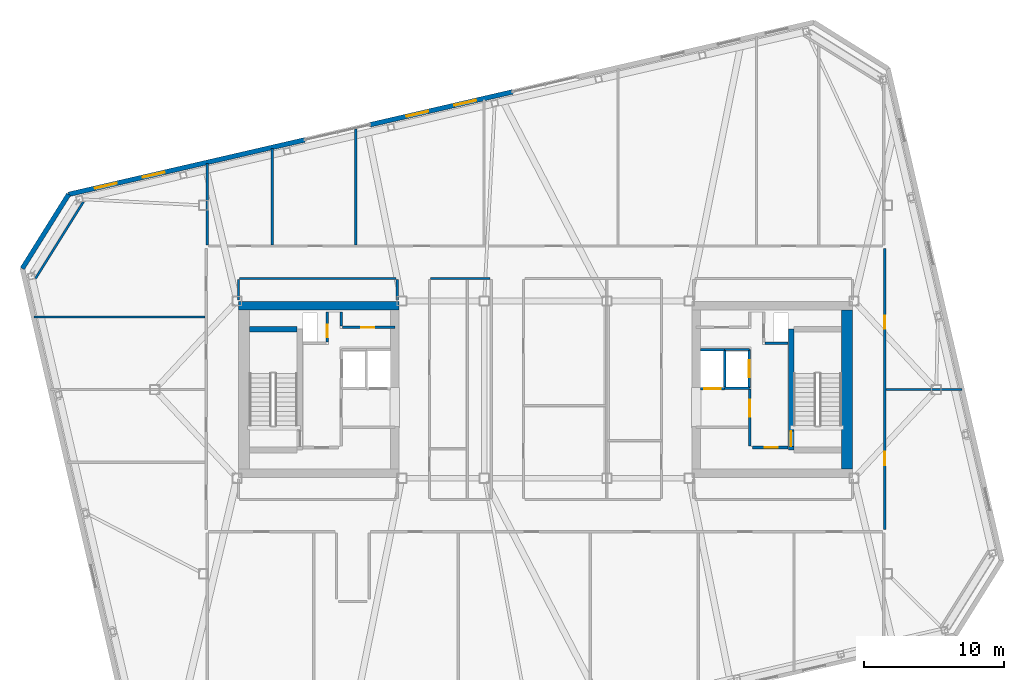
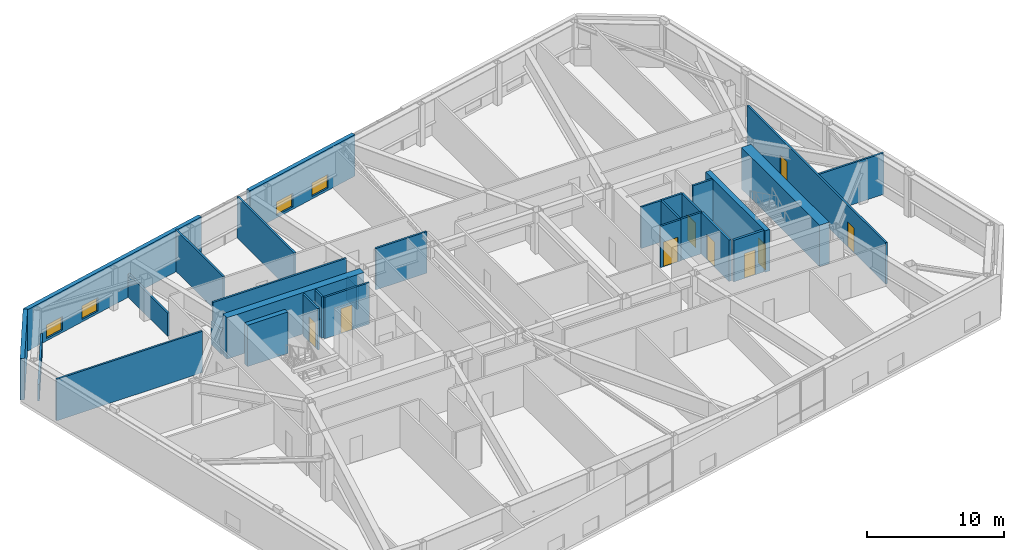
# One storey, part 18 of 23: 30 walls, 9 doors, 4 windows, 13 openings.
"""IFC4 building model written with IfcOpenShell, lengths in metres."""

from ifc_helpers import new_model, si_unit, direction, frame, frame_2d, origin, place, context, subcontext, project, spatial, rectangle, extrude, material, layer, layer_set, type_object, element, fill, save


model = new_model("IFC4")

# Units and contexts
model_context = context("Model", 3, precision=1e-05, world=origin(), true_north=direction((0.0, 1.0)))
body_context = subcontext(model_context, "Body", "Model", "MODEL_VIEW")
ifc_project = project(units=[si_unit("LENGTHUNIT", "METRE"), si_unit("AREAUNIT", "SQUARE_METRE"), si_unit("VOLUMEUNIT", "CUBIC_METRE"), si_unit("PLANEANGLEUNIT", "RADIAN"), si_unit("MASSUNIT", "GRAM", prefix="KILO")], contexts=[model_context])

# Site, building, storey
site_placement = place(None, origin())
site = spatial("IfcSite", under=ifc_project, at=site_placement, CompositionType="ELEMENT")
building_placement = place(site_placement, origin())
building = spatial("IfcBuilding", under=site, at=building_placement, Name="Tavrogorsk Clinical Tower", CompositionType="ELEMENT")
storey_placement = place(building_placement, frame((0.0, 0.0, 329.0)))
storey = spatial("IfcBuildingStorey", under=building, at=storey_placement, Name="L77", CompositionType="ELEMENT", Elevation=329.0)

# Wall, opening, door
ifc_material_1 = material(Name="Concrete B60", Category="concrete")
ifc_layer_1 = layer(ifc_material_1, 0.199951171875)
ifc_layer_set_1 = layer_set([ifc_layer_1], Name="Concrete B60")
wall_type_1 = type_object("IfcWallType", Name="CoreFireWall_200", PredefinedType="SOLIDWALL", material=ifc_layer_set_1)
wall_1_placement = place(storey_placement, frame((14.824951171875, -4.139892578125, 0.0), z_axis=(0.0, 0.0, 1.0), x_axis=(1.0, 0.0, 0.0)))
wall_1 = element("IfcWall", 1, at=wall_1_placement, inside=storey, type_object=wall_type_1, Name="L77 Core East South Core Room Fire Wall", PredefinedType="SOLIDWALL", context=body_context, shape_type="SweptSolid", body=[
    extrude(rectangle(XDim=2.554931640625, YDim=0.199951171875, at=frame_2d((1.27734375, 0.0))), origin(), (0.0, 0.0, 1.0), 3.679931640625),
])
opening_1_placement = place(wall_1_placement, frame((0.8798828125, 0.0, 0.0)))
opening_1 = element("IfcOpeningElement", 2, at=opening_1_placement, cuts=wall_1, Name="Opening ID-02", PredefinedType="OPENING", context=body_context, shape_type="SweptSolid", body=[
    extrude(rectangle(XDim=0.949951171875, YDim=2.199951171875, at=frame_2d((0.47509765625, 1.10009765625))), frame((0.0, 0.10986328125, 0.0), z_axis=(0.0, -1.0, 0.0), x_axis=(1.0, 0.0, 0.0)), (0.0, 0.0, 1.0), 0.219970703125),
])
ifc_material_2 = material(Name="Laminated timber leaf on aluminium frame", Category="wood")
door_type_1 = type_object("IfcDoorType", Name="InteriorDoor_ID02_950", OperationType="NOTDEFINED", PredefinedType="DOOR", material=ifc_material_2)
door_1_placement = place(opening_1_placement, origin())
door_1 = element("IfcDoor", 3, at=door_1_placement, inside=storey, type_object=door_type_1, Name="L77 Core East South Core Room Door", OperationType="SINGLE_SWING_RIGHT", OverallHeight=2.199951171875, OverallWidth=0.949951171875, PredefinedType="DOOR", context=body_context, shape_type="SweptSolid", body=[
    extrude(rectangle(XDim=0.949951171875, YDim=2.199951171875, at=frame_2d((0.47509765625, 1.10009765625))), frame((0.0, 0.02490234375, 0.0), z_axis=(0.0, -1.0, 0.0), x_axis=(1.0, 0.0, 0.0)), (0.0, 0.0, 1.0), 0.050048828125),
])
fill(opening_1, door_1)

wall_2_placement = place(storey_placement, frame((14.639892578125, -4.034912109375, 0.0), z_axis=(0.0, 0.0, 1.0), x_axis=(0.0, 1.0, 0.0)))
wall_2 = element("IfcWall", 4, at=wall_2_placement, inside=storey, type_object=wall_type_1, Name="L77 Core East Firefighting Lobby Fire Wall", PredefinedType="SOLIDWALL", context=body_context, shape_type="SweptSolid", body=[
    extrude(rectangle(XDim=4.074951171875, YDim=0.199951171875, at=frame_2d((2.03759765625, 0.0))), origin(), (0.0, 0.0, 1.0), 3.679931640625),
])
opening_2_placement = place(wall_2_placement, frame((2.090087890625, 0.0, 0.0)))
opening_2 = element("IfcOpeningElement", 5, at=opening_2_placement, cuts=wall_2, Name="Opening FD-01", PredefinedType="OPENING", context=body_context, shape_type="SweptSolid", body=[
    extrude(rectangle(XDim=1.199951171875, YDim=2.199951171875, at=frame_2d((0.60009765625, 1.10009765625))), frame((0.0, 0.10986328125, 0.0), z_axis=(0.0, -1.0, 0.0), x_axis=(1.0, 0.0, 0.0)), (0.0, 0.0, 1.0), 0.219970703125),
])
ifc_material_3 = material(Name="Galvanised steel fire-rated door assembly", Category="steel")
door_type_2 = type_object("IfcDoorType", Name="FireDoor_FD01_1200", OperationType="NOTDEFINED", PredefinedType="DOOR", material=ifc_material_3)
door_2_placement = place(opening_2_placement, origin())
door_2 = element("IfcDoor", 6, at=door_2_placement, inside=storey, type_object=door_type_2, Name="L77 Core East Firefighting Lobby Entry Door", OperationType="SINGLE_SWING_RIGHT", OverallHeight=2.199951171875, OverallWidth=1.199951171875, PredefinedType="DOOR", context=body_context, shape_type="SweptSolid", body=[
    extrude(rectangle(XDim=1.199951171875, YDim=2.199951171875, at=frame_2d((0.60009765625, 1.10009765625))), frame((0.0, 0.02490234375, 0.0), z_axis=(0.0, -1.0, 0.0), x_axis=(1.0, 0.0, 0.0)), (0.0, 0.0, 1.0), 0.050048828125),
])
fill(opening_2, door_2)

ifc_material_4 = material(Name="Lightweight concrete blockwork B15", Category="masonry")
ifc_layer_2 = layer(ifc_material_4, 0.159912109375)
ifc_layer_set_2 = layer_set([ifc_layer_2], Name="Lightweight concrete blockwork B15")
wall_type_2 = type_object("IfcWallType", Name="PartitionWall_160", PredefinedType="PARTITIONING", material=ifc_layer_set_2)
wall_3_placement = place(storey_placement, frame((-14.554931640625, 4.4599609375, 0.0), z_axis=(0.0, 0.0, 1.0), x_axis=(1.0, 0.0, 0.0)))
wall_3 = element("IfcWall", 7, at=wall_3_placement, inside=storey, type_object=wall_type_2, Name="L77 Core West Pneumatic Dispatch South Wall", PredefinedType="PARTITIONING", context=body_context, shape_type="SweptSolid", body=[
    extrude(rectangle(XDim=3.7548828125, YDim=0.159912109375, at=frame_2d((1.87744140625, 0.0))), origin(), (0.0, 0.0, 1.0), 3.679931640625),
])
opening_3_placement = place(wall_3_placement, frame((1.35009765625, 0.0, 0.0)))
opening_3 = element("IfcOpeningElement", 8, at=opening_3_placement, cuts=wall_3, Name="Opening ID-02", PredefinedType="OPENING", context=body_context, shape_type="SweptSolid", body=[
    extrude(rectangle(XDim=0.949951171875, YDim=2.199951171875, at=frame_2d((0.47509765625, 1.10009765625))), frame((0.0, 0.08984375, 0.0), z_axis=(0.0, -1.0, 0.0), x_axis=(1.0, 0.0, 0.0)), (0.0, 0.0, 1.0), 0.179931640625),
])
door_3_placement = place(opening_3_placement, origin())
door_3 = element("IfcDoor", 9, at=door_3_placement, inside=storey, type_object=door_type_1, Name="L77 Core West Pneumatic Dispatch Door", OperationType="SINGLE_SWING_LEFT", OverallHeight=2.199951171875, OverallWidth=0.949951171875, PredefinedType="DOOR", context=body_context, shape_type="SweptSolid", body=[
    extrude(rectangle(XDim=0.949951171875, YDim=2.199951171875, at=frame_2d((0.47509765625, 1.10009765625))), frame((0.0, 0.02490234375, 0.0), z_axis=(0.0, -1.0, 0.0), x_axis=(1.0, 0.0, 0.0)), (0.0, 0.0, 1.0), 0.050048828125),
])
fill(opening_3, door_3)

# Walls
wall_4_placement = place(storey_placement, frame((-14.639892578125, 4.544921875, 0.0), z_axis=(0.0, 0.0, 1.0), x_axis=(0.0, 1.0, 0.0)))
element("IfcWall", 10, at=wall_4_placement, inside=storey, type_object=wall_type_2, Name="L77 Core West Pneumatic Dispatch East Wall", PredefinedType="PARTITIONING", context=body_context, shape_type="SweptSolid", body=[
    extrude(rectangle(XDim=1.01513671875, YDim=0.159912109375, at=frame_2d((0.507568359375, 0.0))), origin(), (0.0, 0.0, 1.0), 3.679931640625),
])
wall_5_placement = place(storey_placement, frame((-33.10009765625, 13.464599609375, 0.0), z_axis=(0.0, 0.0, 1.0), x_axis=(-0.529958457806, -0.848023604035, 0.0)))
element("IfcWall", 11, at=wall_5_placement, inside=storey, type_object=wall_type_2, Name="L77 Corner Exoskeleton Brace Furring Wall 3", PredefinedType="PARTITIONING", context=body_context, shape_type="SweptSolid", body=[
    extrude(rectangle(XDim=6.505126953125, YDim=0.159912109375, at=frame_2d((3.25244140625, 0.0))), origin(), (0.0, 0.0, 1.0), 1.47509765625),
])

# Wall, openings, doors
wall_6_placement = place(storey_placement, frame((24.31005859375, 10.114990234375, 0.0), z_axis=(0.0, 0.0, 1.0), x_axis=(0.0, -1.0, 0.0)))
wall_6 = element("IfcWall", 12, at=wall_6_placement, inside=storey, type_object=wall_type_2, Name="L77 Corridor Partition 03", PredefinedType="PARTITIONING", context=body_context, shape_type="SweptSolid", body=[
    extrude(rectangle(XDim=20.1298828125, YDim=0.159912109375, at=frame_2d((10.06494140625, 0.0))), origin(), (0.0, 0.0, 1.0), 3.679931640625),
])
opening_4_placement = place(wall_6_placement, frame((14.580810546875, 0.0, 0.0)))
opening_4 = element("IfcOpeningElement", 13, at=opening_4_placement, cuts=wall_6, Name="Opening ID-02", PredefinedType="OPENING", context=body_context, shape_type="SweptSolid", body=[
    extrude(rectangle(XDim=0.949951171875, YDim=2.199951171875, at=frame_2d((0.47509765625, 1.10009765625))), frame((0.0, 0.08984375, 0.0), z_axis=(0.0, -1.0, 0.0), x_axis=(1.0, 0.0, 0.0)), (0.0, 0.0, 1.0), 0.179931640625),
])
opening_5_placement = place(wall_6_placement, frame((4.819091796875, 0.0, 0.0)))
opening_5 = element("IfcOpeningElement", 14, at=opening_5_placement, cuts=wall_6, Name="Opening ID-02", PredefinedType="OPENING", context=body_context, shape_type="SweptSolid", body=[
    extrude(rectangle(XDim=0.949951171875, YDim=2.199951171875, at=frame_2d((0.47509765625, 1.10009765625))), frame((0.0, 0.08984375, 0.0), z_axis=(0.0, -1.0, 0.0), x_axis=(1.0, 0.0, 0.0)), (0.0, 0.0, 1.0), 0.179931640625),
])
door_4_placement = place(opening_4_placement, origin())
door_4 = element("IfcDoor", 15, at=door_4_placement, inside=storey, type_object=door_type_1, Name="L77 E Senior Clinician Suite 1 Door", OperationType="SINGLE_SWING_RIGHT", OverallHeight=2.199951171875, OverallWidth=0.949951171875, PredefinedType="DOOR", context=body_context, shape_type="SweptSolid", body=[
    extrude(rectangle(XDim=0.949951171875, YDim=2.199951171875, at=frame_2d((0.47509765625, 1.10009765625))), frame((0.0, 0.02490234375, 0.0), z_axis=(0.0, -1.0, 0.0), x_axis=(1.0, 0.0, 0.0)), (0.0, 0.0, 1.0), 0.050048828125),
])
fill(opening_4, door_4)
door_5_placement = place(opening_5_placement, origin())
door_5 = element("IfcDoor", 16, at=door_5_placement, inside=storey, type_object=door_type_1, Name="L77 E Multidisciplinary Seminar Suite 2 Door", OperationType="SINGLE_SWING_LEFT", OverallHeight=2.199951171875, OverallWidth=0.949951171875, PredefinedType="DOOR", context=body_context, shape_type="SweptSolid", body=[
    extrude(rectangle(XDim=0.949951171875, YDim=2.199951171875, at=frame_2d((0.47509765625, 1.10009765625))), frame((0.0, 0.02490234375, 0.0), z_axis=(0.0, -1.0, 0.0), x_axis=(1.0, 0.0, 0.0)), (0.0, 0.0, 1.0), 0.050048828125),
])
fill(opening_5, door_5)

# Walls
wall_7_placement = place(storey_placement, frame((-3.965087890625, 7.969970703125, 0.0), z_axis=(0.0, 0.0, 1.0), x_axis=(-1.0, 0.0, 0.0)))
element("IfcWall", 17, at=wall_7_placement, inside=storey, type_object=wall_type_2, Name="L77 Corridor Partition 20", PredefinedType="PARTITIONING", context=body_context, shape_type="SweptSolid", body=[
    extrude(rectangle(XDim=4.27001953125, YDim=0.159912109375, at=frame_2d((2.135009765625, 0.0))), origin(), (0.0, 0.0, 1.0), 3.679931640625),
])
wall_8_placement = place(storey_placement, frame((-10.6298828125, 6.419921875, 0.0), z_axis=(0.0, 0.0, 1.0), x_axis=(0.0, 1.0, 0.0)))
element("IfcWall", 18, at=wall_8_placement, inside=storey, type_object=wall_type_2, Name="L77 Corridor Partition 24", PredefinedType="PARTITIONING", context=body_context, shape_type="SweptSolid", body=[
    extrude(rectangle(XDim=1.465087890625, YDim=0.159912109375, at=frame_2d((0.732421875, 0.0))), origin(), (0.0, 0.0, 1.0), 2.074951171875),
])
wall_9_placement = place(storey_placement, frame((-10.715087890625, 7.969970703125, 0.0), z_axis=(0.0, 0.0, 1.0), x_axis=(-1.0, 0.0, 0.0)))
element("IfcWall", 19, at=wall_9_placement, inside=storey, type_object=wall_type_2, Name="L77 Corridor Partition 25", PredefinedType="PARTITIONING", context=body_context, shape_type="SweptSolid", body=[
    extrude(rectangle(XDim=11.199951171875, YDim=0.159912109375, at=frame_2d((5.60009765625, 0.0))), origin(), (0.0, 0.0, 1.0), 3.679931640625),
])
wall_10_placement = place(storey_placement, frame((-22.0, 7.885009765625, 0.0), z_axis=(0.0, 0.0, 1.0), x_axis=(0.0, -1.0, 0.0)))
element("IfcWall", 20, at=wall_10_placement, inside=storey, type_object=wall_type_2, Name="L77 Corridor Partition 26", PredefinedType="PARTITIONING", context=body_context, shape_type="SweptSolid", body=[
    extrude(rectangle(XDim=1.465087890625, YDim=0.159912109375, at=frame_2d((0.732421875, 0.0))), origin(), (0.0, 0.0, 1.0), 2.074951171875),
])
wall_11_placement = place(storey_placement, frame((-24.22998046875, 10.364990234375, 0.0), z_axis=(0.0, 0.0, 1.0), x_axis=(0.0, 1.0, 0.0)))
element("IfcWall", 21, at=wall_11_placement, inside=storey, type_object=wall_type_2, Name="L77 NW Wing Closure Partition", PredefinedType="PARTITIONING", context=body_context, shape_type="SweptSolid", body=[
    extrude(rectangle(XDim=5.845947265625, YDim=0.159912109375, at=frame_2d((2.9228515625, 0.0))), origin(), (0.0, 0.0, 1.0), 2.074951171875),
])
wall_12_placement = place(storey_placement, frame((-19.580078125, 10.364990234375, 0.0), z_axis=(0.0, 0.0, 1.0), x_axis=(0.0, 1.0, 0.0)))
element("IfcWall", 22, at=wall_12_placement, inside=storey, type_object=wall_type_2, Name="L77 North Room Partition 1", PredefinedType="PARTITIONING", context=body_context, shape_type="SweptSolid", body=[
    extrude(rectangle(XDim=6.91943359375, YDim=0.159912109375, at=frame_2d((3.459716796875, 0.0))), origin(), (0.0, 0.0, 1.0), 3.679931640625),
])
wall_13_placement = place(storey_placement, frame((-13.60009765625, 10.364990234375, 0.0), z_axis=(0.0, 0.0, 1.0), x_axis=(0.0, 1.0, 0.0)))
element("IfcWall", 23, at=wall_13_placement, inside=storey, type_object=wall_type_2, Name="L77 North Room Partition 2", PredefinedType="PARTITIONING", context=body_context, shape_type="SweptSolid", body=[
    extrude(rectangle(XDim=8.300048828125, YDim=0.159912109375, at=frame_2d((4.14990234375, 0.0))), origin(), (0.0, 0.0, 1.0), 3.679931640625),
])
wall_14_placement = place(storey_placement, frame((-36.662841796875, 5.199951171875, 0.0), z_axis=(0.0, 0.0, 1.0), x_axis=(1.0, 0.0, 0.0)))
element("IfcWall", 24, at=wall_14_placement, inside=storey, type_object=wall_type_2, Name="L77 W Wing Divider 3", PredefinedType="PARTITIONING", context=body_context, shape_type="SweptSolid", body=[
    extrude(rectangle(XDim=12.267822265625, YDim=0.159912109375, at=frame_2d((6.1337890625, 0.0))), origin(), (0.0, 0.0, 1.0), 3.679931640625),
])
wall_15_placement = place(storey_placement, frame((24.39501953125, 0.0, 0.0), z_axis=(0.0, 0.0, 1.0), x_axis=(1.0, 0.0, 0.0)))
element("IfcWall", 25, at=wall_15_placement, inside=storey, type_object=wall_type_2, Name="L77 E Wing Divider 1", PredefinedType="PARTITIONING", context=body_context, shape_type="SweptSolid", body=[
    extrude(rectangle(XDim=5.436279296875, YDim=0.159912109375, at=frame_2d((2.71826171875, 0.0))), origin(), (0.0, 0.0, 1.0), 3.679931640625),
])

# Wall, openings, windows
ifc_material_5 = material(Name="Precast concrete B45 with limestone cladding", Category="masonry")
ifc_layer_3 = layer(ifc_material_5, 0.340087890625)
ifc_layer_set_3 = layer_set([ifc_layer_3], Name="Precast concrete B45 with limestone cladding")
wall_type_3 = type_object("IfcWallType", Name="PrecastLimestoneWall_340", PredefinedType="STANDARD", material=ifc_layer_set_3)
wall_16_placement = place(storey_placement, frame((-2.3681640625, 21.330078125, 0.0), z_axis=(0.0, 0.0, 1.0), x_axis=(-0.974367213107, -0.224963405961, 0.0)))
wall_16 = element("IfcWall", 26, at=wall_16_placement, inside=storey, type_object=wall_type_3, Name="L77 N Limestone Facade Wall 2", PredefinedType="STANDARD", context=body_context, shape_type="SweptSolid", body=[
    extrude(rectangle(XDim=10.46826171875, YDim=0.340087890625, at=frame_2d((5.234130859375, 0.0))), origin(), (0.0, 0.0, 1.0), 3.679931640625),
])
opening_6_placement = place(wall_16_placement, frame((6.190185546875, 0.0, 0.219970703125)))
opening_6 = element("IfcOpeningElement", 27, at=opening_6_placement, cuts=wall_16, Name="Opening WN-09", PredefinedType="OPENING", context=body_context, shape_type="SweptSolid", body=[
    extrude(rectangle(XDim=1.60009765625, YDim=1.199951171875, at=frame_2d((0.800048828125, 0.60009765625))), frame((0.0, 0.179931640625, 0.0), z_axis=(0.0, -1.0, 0.0), x_axis=(1.0, 0.0, 0.0)), (0.0, 0.0, 1.0), 0.360107421875),
])
opening_7_placement = place(wall_16_placement, frame((2.678466796875, 0.0, 0.219970703125)))
opening_7 = element("IfcOpeningElement", 28, at=opening_7_placement, cuts=wall_16, Name="Opening WN-09", PredefinedType="OPENING", context=body_context, shape_type="SweptSolid", body=[
    extrude(rectangle(XDim=1.60009765625, YDim=1.199951171875, at=frame_2d((0.800048828125, 0.60009765625))), frame((0.0, 0.179931640625, 0.0), z_axis=(0.0, -1.0, 0.0), x_axis=(1.0, 0.0, 0.0)), (0.0, 0.0, 1.0), 0.360107421875),
])
ifc_material_6 = material(Name="Thermally broken aluminium frame and triple IGU", Category="aluminium")
window_type = type_object("IfcWindowType", Name="LowHeadTransWin_1600x1200", PartitioningType="DOUBLE_PANEL_VERTICAL", PredefinedType="WINDOW", material=ifc_material_6)
window_1_placement = place(opening_6_placement, origin())
window_1 = element("IfcWindow", 29, at=window_1_placement, inside=storey, type_object=window_type, Name="L77 N Chicago Window 05", OverallHeight=1.199951171875, OverallWidth=1.60009765625, PartitioningType="SINGLE_PANEL", PredefinedType="WINDOW", context=body_context, shape_type="SweptSolid", body=[
    extrude(rectangle(XDim=1.60009765625, YDim=1.199951171875, at=frame_2d((0.800048828125, 0.60009765625))), frame((0.0, 0.030029296875, 0.0), z_axis=(0.0, -1.0, 0.0), x_axis=(1.0, 0.0, 0.0)), (0.0, 0.0, 1.0), 0.06005859375),
])
fill(opening_6, window_1)
window_2_placement = place(opening_7_placement, origin())
window_2 = element("IfcWindow", 30, at=window_2_placement, inside=storey, type_object=window_type, Name="L77 N Chicago Window 06", OverallHeight=1.199951171875, OverallWidth=1.60009765625, PartitioningType="SINGLE_PANEL", PredefinedType="WINDOW", context=body_context, shape_type="SweptSolid", body=[
    extrude(rectangle(XDim=1.60009765625, YDim=1.199951171875, at=frame_2d((0.800048828125, 0.60009765625))), frame((0.0, 0.030029296875, 0.0), z_axis=(0.0, -1.0, 0.0), x_axis=(1.0, 0.0, 0.0)), (0.0, 0.0, 1.0), 0.06005859375),
])
fill(opening_7, window_2)

wall_17_placement = place(storey_placement, frame((-17.2451171875, 17.895263671875, 0.0), z_axis=(0.0, 0.0, 1.0), x_axis=(-0.97437318493, -0.224937539085, 0.0)))
wall_17 = element("IfcWall", 31, at=wall_17_placement, inside=storey, type_object=wall_type_3, Name="L77 N Limestone Facade Wall 3", PredefinedType="STANDARD", context=body_context, shape_type="SweptSolid", body=[
    extrude(rectangle(XDim=17.365966796875, YDim=0.340087890625, at=frame_2d((8.68310546875, 0.0))), origin(), (0.0, 0.0, 1.0), 3.679931640625),
])
opening_8_placement = place(wall_17_placement, frame((13.82470703125, 0.0, 0.219970703125)))
opening_8 = element("IfcOpeningElement", 32, at=opening_8_placement, cuts=wall_17, Name="Opening WN-09", PredefinedType="OPENING", context=body_context, shape_type="SweptSolid", body=[
    extrude(rectangle(XDim=1.60009765625, YDim=1.199951171875, at=frame_2d((0.800048828125, 0.60009765625))), frame((0.0, 0.179931640625, 0.0), z_axis=(0.0, -1.0, 0.0), x_axis=(1.0, 0.0, 0.0)), (0.0, 0.0, 1.0), 0.360107421875),
])
opening_9_placement = place(wall_17_placement, frame((10.312744140625, 0.0, 0.219970703125)))
opening_9 = element("IfcOpeningElement", 33, at=opening_9_placement, cuts=wall_17, Name="Opening WN-09", PredefinedType="OPENING", context=body_context, shape_type="SweptSolid", body=[
    extrude(rectangle(XDim=1.60009765625, YDim=1.199951171875, at=frame_2d((0.800048828125, 0.60009765625))), frame((0.0, 0.179931640625, 0.0), z_axis=(0.0, -1.0, 0.0), x_axis=(1.0, 0.0, 0.0)), (0.0, 0.0, 1.0), 0.360107421875),
])
window_3_placement = place(opening_8_placement, origin())
window_3 = element("IfcWindow", 34, at=window_3_placement, inside=storey, type_object=window_type, Name="L77 N Chicago Window 01", OverallHeight=1.199951171875, OverallWidth=1.60009765625, PartitioningType="SINGLE_PANEL", PredefinedType="WINDOW", context=body_context, shape_type="SweptSolid", body=[
    extrude(rectangle(XDim=1.60009765625, YDim=1.199951171875, at=frame_2d((0.800048828125, 0.60009765625))), frame((0.0, 0.030029296875, 0.0), z_axis=(0.0, -1.0, 0.0), x_axis=(1.0, 0.0, 0.0)), (0.0, 0.0, 1.0), 0.06005859375),
])
fill(opening_8, window_3)
window_4_placement = place(opening_9_placement, origin())
window_4 = element("IfcWindow", 35, at=window_4_placement, inside=storey, type_object=window_type, Name="L77 N Chicago Window 02", OverallHeight=1.199951171875, OverallWidth=1.60009765625, PartitioningType="SINGLE_PANEL", PredefinedType="WINDOW", context=body_context, shape_type="SweptSolid", body=[
    extrude(rectangle(XDim=1.60009765625, YDim=1.199951171875, at=frame_2d((0.800048828125, 0.60009765625))), frame((0.0, 0.030029296875, 0.0), z_axis=(0.0, -1.0, 0.0), x_axis=(1.0, 0.0, 0.0)), (0.0, 0.0, 1.0), 0.06005859375),
])
fill(opening_9, window_4)

# Wall
wall_18_placement = place(storey_placement, frame((-34.165771484375, 13.989013671875, 0.0), z_axis=(0.0, 0.0, 1.0), x_axis=(-0.529935887993, -0.848037708252, 0.0)))
element("IfcWall", 36, at=wall_18_placement, inside=storey, type_object=wall_type_3, Name="L77 Chamfered Corner Wall 3", PredefinedType="STANDARD", context=body_context, shape_type="SweptSolid", body=[
    extrude(rectangle(XDim=6.26513671875, YDim=0.340087890625, at=frame_2d((3.132568359375, 0.0))), origin(), (0.0, 0.0, 1.0), 3.679931640625),
])

# Wall, opening, door
ifc_material_7 = material(Name="Lightweight concrete blockwork B25", Category="masonry")
ifc_layer_4 = layer(ifc_material_7, 0.159912109375)
ifc_layer_set_4 = layer_set([ifc_layer_4], Name="Lightweight concrete blockwork B25")
wall_type_4 = type_object("IfcWallType", Name="ShaftWall_160", PredefinedType="PARTITIONING", material=ifc_layer_set_4)
wall_19_placement = place(storey_placement, frame((14.60009765625, 0.1201171875, 0.0), z_axis=(0.0, 0.0, 1.0), x_axis=(0.0, 1.0, 0.0)))
wall_19 = element("IfcWall", 37, at=wall_19_placement, inside=storey, type_object=wall_type_4, Name="L77 FFL-E Firefighting Lift Front Wall", PredefinedType="PARTITIONING", context=body_context, shape_type="SweptSolid", body=[
    extrude(rectangle(XDim=2.739990234375, YDim=0.159912109375, at=frame_2d((1.3701171875, 0.0))), origin(), (0.0, 0.0, 1.0), 3.679931640625),
])
opening_10_placement = place(wall_19_placement, frame((0.77001953125, 0.0, 0.0)))
opening_10 = element("IfcOpeningElement", 38, at=opening_10_placement, cuts=wall_19, Name="Opening LD", PredefinedType="OPENING", context=body_context, shape_type="SweptSolid", body=[
    extrude(rectangle(XDim=1.199951171875, YDim=2.199951171875, at=frame_2d((0.60009765625, 1.10009765625))), frame((0.0, 0.08984375, 0.0), z_axis=(0.0, -1.0, 0.0), x_axis=(1.0, 0.0, 0.0)), (0.0, 0.0, 1.0), 0.179931640625),
])
ifc_material_8 = material(Name="Brushed stainless steel AISI 304 sliding doors", Category="steel")
door_type_3 = type_object("IfcDoorType", Name="LiftLandingDoor_LD_1200", OperationType="SLIDING_TO_LEFT", PredefinedType="DOOR", material=ifc_material_8)
door_6_placement = place(opening_10_placement, origin())
door_6 = element("IfcDoor", 39, at=door_6_placement, inside=storey, type_object=door_type_3, Name="L77 FFL-E Sliding Lift Landing Door", OperationType="SLIDING_TO_LEFT", OverallHeight=2.199951171875, OverallWidth=1.199951171875, PredefinedType="DOOR", context=body_context, shape_type="SweptSolid", body=[
    extrude(rectangle(XDim=1.199951171875, YDim=2.199951171875, at=frame_2d((0.60009765625, 1.10009765625))), frame((0.0, 0.02490234375, 0.0), z_axis=(0.0, -1.0, 0.0), x_axis=(1.0, 0.0, 0.0)), (0.0, 0.0, 1.0), 0.050048828125),
])
fill(opening_10, door_6)

# Walls
for number, where, z_axis, x_axis, name in (
    (40, (12.840087890625, 0.10009765625, 0.0), (0.0, 0.0, 1.0), (1.0, 0.0, 0.0), "L77 FFL-E Shaft South Wall"),
    (41, (12.840087890625, 2.8798828125, 0.0), (0.0, 0.0, 1.0), (1.0, 0.0, 0.0), "L77 FFL-E Shaft North Wall"),
):
    element("IfcWall", number, at=place(storey_placement, frame(where, z_axis=z_axis, x_axis=x_axis)), inside=storey, type_object=wall_type_4, Name=name, PredefinedType="PARTITIONING", context=body_context, shape_type="SweptSolid", body=[
        extrude(rectangle(XDim=1.760009765625, YDim=0.159912109375, at=frame_2d((0.8798828125, 0.0))), origin(), (0.0, 0.0, 1.0), 3.679931640625),
    ])
wall_20_placement = place(storey_placement, frame((12.840087890625, 0.179931640625, 0.0), z_axis=(0.0, 0.0, 1.0), x_axis=(0.0, 1.0, 0.0)))
element("IfcWall", 42, at=wall_20_placement, inside=storey, type_object=wall_type_4, Name="L77 FFL-E Shaft Back Wall", PredefinedType="PARTITIONING", context=body_context, shape_type="SweptSolid", body=[
    extrude(rectangle(XDim=2.6201171875, YDim=0.159912109375, at=frame_2d((1.31005859375, 0.0))), origin(), (0.0, 0.0, 1.0), 3.679931640625),
])

# Wall, opening, door
wall_21_placement = place(storey_placement, frame((11.10009765625, 0.06005859375, 0.0), z_axis=(0.0, 0.0, 1.0), x_axis=(1.0, 0.0, 0.0)))
wall_21 = element("IfcWall", 43, at=wall_21_placement, inside=storey, type_object=wall_type_4, Name="L77 LP-H2 High-Zone Lift Portal Wall", PredefinedType="PARTITIONING", context=body_context, shape_type="SweptSolid", body=[
    extrude(rectangle(XDim=1.719970703125, YDim=0.159912109375, at=frame_2d((0.85986328125, 0.0))), origin(), (0.0, 0.0, 1.0), 3.679931640625),
])
opening_11_placement = place(wall_21_placement, frame((0.260009765625, 0.0, 0.0)))
opening_11 = element("IfcOpeningElement", 44, at=opening_11_placement, cuts=wall_21, Name="Opening LD", PredefinedType="OPENING", context=body_context, shape_type="SweptSolid", body=[
    extrude(rectangle(XDim=1.199951171875, YDim=2.199951171875, at=frame_2d((0.60009765625, 1.10009765625))), frame((0.0, 0.08984375, 0.0), z_axis=(0.0, -1.0, 0.0), x_axis=(1.0, 0.0, 0.0)), (0.0, 0.0, 1.0), 0.179931640625),
])
door_7_placement = place(opening_11_placement, origin())
door_7 = element("IfcDoor", 45, at=door_7_placement, inside=storey, type_object=door_type_3, Name="L77 LP-H2 Sliding Lift Landing Door", OperationType="SLIDING_TO_LEFT", OverallHeight=2.199951171875, OverallWidth=1.199951171875, PredefinedType="DOOR", context=body_context, shape_type="SweptSolid", body=[
    extrude(rectangle(XDim=1.199951171875, YDim=2.199951171875, at=frame_2d((0.60009765625, 1.10009765625))), frame((0.0, 0.02490234375, 0.0), z_axis=(0.0, -1.0, 0.0), x_axis=(1.0, 0.0, 0.0)), (0.0, 0.0, 1.0), 0.050048828125),
])
fill(opening_11, door_7)

# Wall
wall_22_placement = place(storey_placement, frame((11.10009765625, 2.860107421875, 0.0), z_axis=(0.0, 0.0, 1.0), x_axis=(1.0, 0.0, 0.0)))
element("IfcWall", 46, at=wall_22_placement, inside=storey, type_object=wall_type_4, Name="L77 LP-H2 High-Zone Lift Rear Wall", PredefinedType="PARTITIONING", context=body_context, shape_type="SweptSolid", body=[
    extrude(rectangle(XDim=1.719970703125, YDim=0.159912109375, at=frame_2d((0.85986328125, 0.0))), origin(), (0.0, 0.0, 1.0), 3.679931640625),
])

# Wall, opening, door
wall_23_placement = place(storey_placement, frame((-15.639892578125, 3.405029296875, 0.0), z_axis=(0.0, 0.0, 1.0), x_axis=(0.0, 1.0, 0.0)))
wall_23 = element("IfcWall", 47, at=wall_23_placement, inside=storey, type_object=wall_type_4, Name="L77 Core West Riser West Wall", PredefinedType="PARTITIONING", context=body_context, shape_type="SweptSolid", body=[
    extrude(rectangle(XDim=2.155029296875, YDim=0.159912109375, at=frame_2d((1.07763671875, 0.0))), origin(), (0.0, 0.0, 1.0), 3.679931640625),
])
opening_12_placement = place(wall_23_placement, frame((0.35009765625, 0.0, 0.0)))
opening_12 = element("IfcOpeningElement", 48, at=opening_12_placement, cuts=wall_23, Name="Opening FD-02", PredefinedType="OPENING", context=body_context, shape_type="SweptSolid", body=[
    extrude(rectangle(XDim=0.89990234375, YDim=2.199951171875, at=frame_2d((0.449951171875, 1.10009765625))), frame((0.0, 0.08984375, 0.0), z_axis=(0.0, -1.0, 0.0), x_axis=(1.0, 0.0, 0.0)), (0.0, 0.0, 1.0), 0.179931640625),
])
ifc_material_9 = material(Name="Galvanised steel fire-rated door assembly", Category="steel")
door_type_4 = type_object("IfcDoorType", Name="FireDoor_FD02_900", OperationType="NOTDEFINED", PredefinedType="DOOR", material=ifc_material_9)
door_8_placement = place(opening_12_placement, origin())
door_8 = element("IfcDoor", 49, at=door_8_placement, inside=storey, type_object=door_type_4, Name="L77 Core West Electrical Riser Access Door", OperationType="SINGLE_SWING_LEFT", OverallHeight=2.199951171875, OverallWidth=0.89990234375, PredefinedType="DOOR", context=body_context, shape_type="SweptSolid", body=[
    extrude(rectangle(XDim=0.89990234375, YDim=2.199951171875, at=frame_2d((0.449951171875, 1.10009765625))), frame((0.0, 0.02490234375, 0.0), z_axis=(0.0, -1.0, 0.0), x_axis=(1.0, 0.0, 0.0)), (0.0, 0.0, 1.0), 0.050048828125),
])
fill(opening_12, door_8)

# Walls
wall_24_placement = place(storey_placement, frame((15.72509765625, 3.320068359375, 0.0), z_axis=(0.0, 0.0, 1.0), x_axis=(1.0, 0.0, 0.0)))
element("IfcWall", 50, at=wall_24_placement, inside=storey, type_object=wall_type_4, Name="L77 Core East Riser South Wall", PredefinedType="PARTITIONING", context=body_context, shape_type="SweptSolid", body=[
    extrude(rectangle(XDim=1.65478515625, YDim=0.159912109375, at=frame_2d((0.827392578125, 0.0))), origin(), (0.0, 0.0, 1.0), 3.679931640625),
])
ifc_material_10 = material(Name="Concrete B80", Category="concrete")
ifc_layer_5 = layer(ifc_material_10, 0.39990234375)
ifc_layer_set_5 = layer_set([ifc_layer_5], Name="Concrete B80")
wall_type_5 = type_object("IfcWallType", Name="ShearWall_400", PredefinedType="SHEAR", material=ifc_layer_set_5)
wall_25_placement = place(storey_placement, frame((-21.199951171875, 4.324951171875, 0.0), z_axis=(0.0, 0.0, 1.0), x_axis=(1.0, 0.0, 0.0)))
element("IfcWall", 51, at=wall_25_placement, inside=storey, type_object=wall_type_5, Name="L77 Core West Stair Shaft North Shear Wall", PredefinedType="SHEAR", context=body_context, shape_type="SweptSolid", body=[
    extrude(rectangle(XDim=3.39990234375, YDim=0.39990234375, at=frame_2d((1.699951171875, 0.0))), origin(), (0.0, 0.0, 1.0), 3.679931640625),
])

# Wall, opening, door
wall_26_placement = place(storey_placement, frame((17.60009765625, -4.324951171875, 0.0), z_axis=(0.0, 0.0, 1.0), x_axis=(0.0, 1.0, 0.0)))
wall_26 = element("IfcWall", 52, at=wall_26_placement, inside=storey, type_object=wall_type_5, Name="L77 Core East Stair Shaft Inner Shear Wall", PredefinedType="SHEAR", context=body_context, shape_type="SweptSolid", body=[
    extrude(rectangle(XDim=8.64990234375, YDim=0.39990234375, at=frame_2d((4.324951171875, 0.0))), origin(), (0.0, 0.0, 1.0), 3.679931640625),
])
opening_13_placement = place(wall_26_placement, frame((0.25, 0.0, 0.0)))
opening_13 = element("IfcOpeningElement", 53, at=opening_13_placement, cuts=wall_26, Name="Opening SD-01", PredefinedType="OPENING", context=body_context, shape_type="SweptSolid", body=[
    extrude(rectangle(XDim=1.10009765625, YDim=2.199951171875, at=frame_2d((0.550048828125, 1.10009765625))), frame((0.0, 0.2099609375, 0.0), z_axis=(0.0, -1.0, 0.0), x_axis=(1.0, 0.0, 0.0)), (0.0, 0.0, 1.0), 0.419921875),
])
ifc_material_11 = material(Name="Galvanised steel smoke-tight fire door assembly", Category="steel")
door_type_5 = type_object("IfcDoorType", Name="StairFireDoor_SD01_1100", OperationType="NOTDEFINED", PredefinedType="DOOR", material=ifc_material_11)
door_9_placement = place(opening_13_placement, origin())
door_9 = element("IfcDoor", 54, at=door_9_placement, inside=storey, type_object=door_type_5, Name="L77 ST-E Exit Stair Door", OperationType="SINGLE_SWING_LEFT", OverallHeight=2.199951171875, OverallWidth=1.10009765625, PredefinedType="DOOR", context=body_context, shape_type="SweptSolid", body=[
    extrude(rectangle(XDim=1.10009765625, YDim=2.199951171875, at=frame_2d((0.550048828125, 1.10009765625))), frame((0.0, 0.02490234375, 0.0), z_axis=(0.0, -1.0, 0.0), x_axis=(1.0, 0.0, 0.0)), (0.0, 0.0, 1.0), 0.050048828125),
])
fill(opening_13, door_9)

# Walls
ifc_material_12 = material(Name="Concrete B80", Category="concrete")
ifc_layer_6 = layer(ifc_material_12, 0.60009765625)
ifc_layer_set_6 = layer_set([ifc_layer_6], Name="Concrete B80")
wall_type_6 = type_object("IfcWallType", Name="ShearWall_600", PredefinedType="SHEAR", material=ifc_layer_set_6)
wall_27_placement = place(storey_placement, frame((-22.0, 6.0, 0.0), z_axis=(0.0, 0.0, 1.0), x_axis=(1.0, 0.0, 0.0)))
element("IfcWall", 55, at=wall_27_placement, inside=storey, type_object=wall_type_6, Name="L77 Core West North Shear Wall", PredefinedType="SHEAR", context=body_context, shape_type="SweptSolid", body=[
    extrude(rectangle(XDim=11.5, YDim=0.60009765625, at=frame_2d((5.75, 0.0))), origin(), (0.0, 0.0, 1.0), 3.679931640625),
])
ifc_material_13 = material(Name="Concrete B80", Category="concrete")
ifc_layer_7 = layer(ifc_material_13, 0.800048828125)
ifc_layer_set_7 = layer_set([ifc_layer_7], Name="Concrete B80")
wall_type_7 = type_object("IfcWallType", Name="ShearWall_800", PredefinedType="SHEAR", material=ifc_layer_set_7)
wall_28_placement = place(storey_placement, frame((21.60009765625, -5.699951171875, 0.0), z_axis=(0.0, 0.0, 1.0), x_axis=(0.0, 1.0, 0.0)))
element("IfcWall", 56, at=wall_28_placement, inside=storey, type_object=wall_type_7, Name="L77 Core East End Shear Wall", PredefinedType="SHEAR", context=body_context, shape_type="SweptSolid", body=[
    extrude(rectangle(XDim=11.39990234375, YDim=0.800048828125, at=frame_2d((5.699951171875, 0.0))), origin(), (0.0, 0.0, 1.0), 3.679931640625),
])

save(model, "model.ifc")
